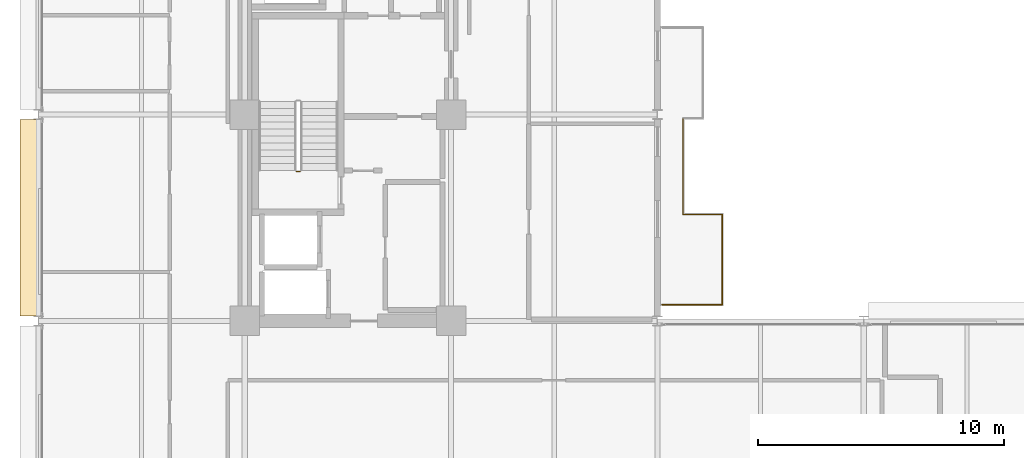
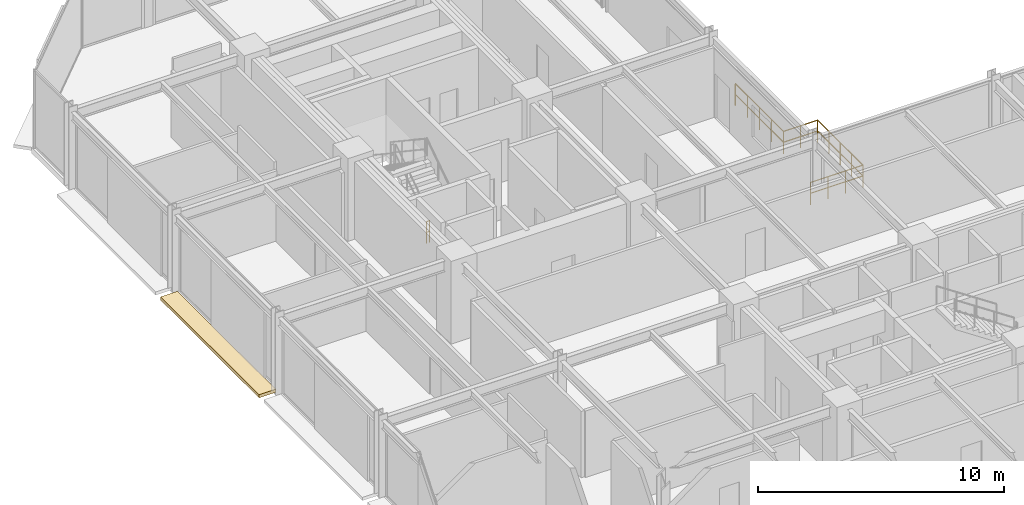
# One storey, part 28 of 30: 5 railings, 1 covering.
"""IFC4 building model written with IfcOpenShell, lengths in metres."""

from ifc_helpers import new_model, si_unit, direction, frame, origin, origin_2d, place, context, subcontext, project, spatial, polyline, circle, outline, extrude, material, layer, layer_set, type_object, element, save


model = new_model("IFC4")

# Units and contexts
model_context = context("Model", 3, precision=1e-05, world=origin(), true_north=direction((0.0, 1.0)))
body_context = subcontext(model_context, "Body", "Model", "MODEL_VIEW")
ifc_project = project(units=[si_unit("LENGTHUNIT", "METRE"), si_unit("AREAUNIT", "SQUARE_METRE"), si_unit("VOLUMEUNIT", "CUBIC_METRE"), si_unit("PLANEANGLEUNIT", "RADIAN"), si_unit("MASSUNIT", "GRAM", prefix="KILO")], contexts=[model_context])

# Site, building, storey
site_placement = place(None, origin())
site = spatial("IfcSite", under=ifc_project, at=site_placement, CompositionType="ELEMENT")
building_placement = place(site_placement, origin())
building = spatial("IfcBuilding", under=site, at=building_placement, Name="Nerrivon Quay Data Exchange", CompositionType="ELEMENT")
storey_placement = place(building_placement, frame((0.0, 0.0, 129.5)))
storey = spatial("IfcBuildingStorey", under=building, at=storey_placement, Name="L30", CompositionType="ELEMENT", Elevation=129.5)

# Covering
ifc_material_1 = material(Name="Architectural terracotta ceramic", Category="masonry")
ifc_layer = layer(ifc_material_1, 0.159912109375)
ifc_layer_set = layer_set([ifc_layer], Name="Architectural terracotta ceramic")
covering_type = type_object("IfcCoveringType", Name="COV-BLD-TERR", PredefinedType="CLADDING", material=ifc_layer_set)
covering_placement = place(storey_placement, frame((0.0, 0.0, -0.159912109375)))
element("IfcCovering", 1, at=covering_placement, inside=storey, type_object=covering_type, Name="L30 Horizontal Terracotta SOLAR SCREEN Blade", PredefinedType="CLADDING", context=body_context, shape_type="SweptSolid", body=[
    extrude(outline(polyline([(0.0400390625, 25.39990234375), (0.0400390625, 33.39990234375), (-0.75, 33.39990234375), (-0.75, 25.39990234375), (0.0400390625, 25.39990234375)])), origin(), (0.0, 0.0, 1.0), 0.159912109375),
])

# Railings
ifc_material_2 = material(Name="Steel Grade C350L0 (350 MPa)", Category="steel")
railing_type_1 = type_object("IfcRailingType", Name="RAIL-GUARD-GR2", PredefinedType="BALUSTRADE", material=ifc_material_2)
railing_1_placement = place(storey_placement, frame((26.239990234375, 29.5400390625, 0.0)))
element("IfcRailing", 2, at=railing_1_placement, inside=storey, type_object=railing_type_1, Name="L30 Verandah Balcony Guard 1.1 1", PredefinedType="BALUSTRADE", context=body_context, shape_type="SweptSolid", body=[
    extrude(circle(Radius=0.02392578125, at=origin_2d()), frame((0.0, 0.0, 1.09619140625), z_axis=(1.0, 0.0, 0.0), x_axis=(0.0, 1.0, 0.0)), (0.0, 0.0, 1.0), 1.60009765625),
    extrude(circle(Radius=0.02392578125, at=origin_2d()), frame((0.0, 0.0, 0.56005859375), z_axis=(1.0, 0.0, 0.0), x_axis=(0.0, 1.0, 0.0)), (0.0, 0.0, 1.0), 1.60009765625),
    extrude(circle(Radius=0.02099609375, at=origin_2d()), origin(), (0.0, 0.0, 1.0), 1.072021484375),
    extrude(circle(Radius=0.02099609375, at=origin_2d()), frame((0.800048828125, 0.0, 0.0)), (0.0, 0.0, 1.0), 1.072021484375),
    extrude(circle(Radius=0.02099609375, at=origin_2d()), frame((1.60009765625, 0.0, 0.0)), (0.0, 0.0, 1.0), 1.072021484375),
])
railing_2_placement = place(storey_placement, frame((27.840087890625, 29.5400390625, 0.0)))
element("IfcRailing", 3, at=railing_2_placement, inside=storey, type_object=railing_type_1, Name="L30 Verandah Balcony Guard 1.2 1", PredefinedType="BALUSTRADE", context=body_context, shape_type="SweptSolid", body=[
    extrude(circle(Radius=0.02392578125, at=origin_2d()), frame((0.0, 0.0, 1.09619140625), z_axis=(0.0, -1.0, 0.0), x_axis=(1.0, 0.0, 0.0)), (0.0, 0.0, 1.0), 3.679931640625),
    extrude(circle(Radius=0.02392578125, at=origin_2d()), frame((0.0, 0.0, 0.56005859375), z_axis=(0.0, -1.0, 0.0), x_axis=(1.0, 0.0, 0.0)), (0.0, 0.0, 1.0), 3.679931640625),
    extrude(circle(Radius=0.02099609375, at=origin_2d()), origin(), (0.0, 0.0, 1.0), 1.072021484375),
    extrude(circle(Radius=0.02099609375, at=origin_2d()), frame((0.0, -0.919921875, 0.0)), (0.0, 0.0, 1.0), 1.072021484375),
    extrude(circle(Radius=0.02099609375, at=origin_2d()), frame((0.0, -1.83984375, 0.0)), (0.0, 0.0, 1.0), 1.072021484375),
    extrude(circle(Radius=0.02099609375, at=origin_2d()), frame((0.0, -2.760009765625, 0.0)), (0.0, 0.0, 1.0), 1.072021484375),
    extrude(circle(Radius=0.02099609375, at=origin_2d()), frame((0.0, -3.679931640625, 0.0)), (0.0, 0.0, 1.0), 1.072021484375),
])
railing_3_placement = place(storey_placement, frame((27.840087890625, 25.860107421875, 0.0)))
element("IfcRailing", 4, at=railing_3_placement, inside=storey, type_object=railing_type_1, Name="L30 Verandah Balcony Guard 1.3 1", PredefinedType="BALUSTRADE", context=body_context, shape_type="SweptSolid", body=[
    extrude(circle(Radius=0.02392578125, at=origin_2d()), frame((0.0, 0.0, 1.09619140625), z_axis=(-1.0, 0.0, 0.0), x_axis=(0.0, -1.0, 0.0)), (0.0, 0.0, 1.0), 2.460205078125),
    extrude(circle(Radius=0.02392578125, at=origin_2d()), frame((0.0, 0.0, 0.56005859375), z_axis=(-1.0, 0.0, 0.0), x_axis=(0.0, -1.0, 0.0)), (0.0, 0.0, 1.0), 2.460205078125),
    extrude(circle(Radius=0.02099609375, at=origin_2d()), origin(), (0.0, 0.0, 1.0), 1.072021484375),
    extrude(circle(Radius=0.02099609375, at=origin_2d()), frame((-0.820068359375, 0.0, 0.0)), (0.0, 0.0, 1.0), 1.072021484375),
    extrude(circle(Radius=0.02099609375, at=origin_2d()), frame((-1.64013671875, 0.0, 0.0)), (0.0, 0.0, 1.0), 1.072021484375),
    extrude(circle(Radius=0.02099609375, at=origin_2d()), frame((-2.460205078125, 0.0, 0.0)), (0.0, 0.0, 1.0), 1.072021484375),
])
railing_4_placement = place(storey_placement, frame((26.239990234375, 33.4599609375, 0.0)))
element("IfcRailing", 5, at=railing_4_placement, inside=storey, type_object=railing_type_1, Name="L30 Verandah Balcony Guard 1.7 1", PredefinedType="BALUSTRADE", context=body_context, shape_type="SweptSolid", body=[
    extrude(circle(Radius=0.02392578125, at=origin_2d()), frame((0.0, 0.0, 1.09619140625), z_axis=(0.0, -1.0, 0.0), x_axis=(1.0, 0.0, 0.0)), (0.0, 0.0, 1.0), 3.919921875),
    extrude(circle(Radius=0.02392578125, at=origin_2d()), frame((0.0, 0.0, 0.56005859375), z_axis=(0.0, -1.0, 0.0), x_axis=(1.0, 0.0, 0.0)), (0.0, 0.0, 1.0), 3.919921875),
    extrude(circle(Radius=0.02099609375, at=origin_2d()), origin(), (0.0, 0.0, 1.0), 1.072021484375),
    extrude(circle(Radius=0.02099609375, at=origin_2d()), frame((0.0, -0.97998046875, 0.0)), (0.0, 0.0, 1.0), 1.072021484375),
    extrude(circle(Radius=0.02099609375, at=origin_2d()), frame((0.0, -1.9599609375, 0.0)), (0.0, 0.0, 1.0), 1.072021484375),
    extrude(circle(Radius=0.02099609375, at=origin_2d()), frame((0.0, -2.93994140625, 0.0)), (0.0, 0.0, 1.0), 1.072021484375),
    extrude(circle(Radius=0.02099609375, at=origin_2d()), frame((0.0, -3.919921875, 0.0)), (0.0, 0.0, 1.0), 1.072021484375),
])
railing_type_2 = type_object("IfcRailingType", Name="RAIL-STAIR-GR1", PredefinedType="BALUSTRADE", material=ifc_material_2)
railing_5_placement = place(storey_placement, frame((10.64990234375, 31.280029296875, 0.0)))
element("IfcRailing", 6, at=railing_5_placement, inside=storey, type_object=railing_type_2, Name="L30 ST01 stair guard 4", PredefinedType="BALUSTRADE", context=body_context, shape_type="SweptSolid", body=[
    extrude(circle(Radius=0.02392578125, at=origin_2d()), frame((0.0, 0.0, 1.076171875), z_axis=(-1.0, 0.0, 0.0), x_axis=(0.0, -1.0, 0.0)), (0.0, 0.0, 1.0), 0.14990234375),
    extrude(circle(Radius=0.02392578125, at=origin_2d()), frame((0.0, 0.0, 0.550048828125), z_axis=(-1.0, 0.0, 0.0), x_axis=(0.0, -1.0, 0.0)), (0.0, 0.0, 1.0), 0.14990234375),
    extrude(circle(Radius=0.02099609375, at=origin_2d()), origin(), (0.0, 0.0, 1.0), 1.052001953125),
    extrude(circle(Radius=0.02099609375, at=origin_2d()), frame((-0.14990234375, 0.0, 0.0)), (0.0, 0.0, 1.0), 1.052001953125),
])

save(model, "model.ifc")
